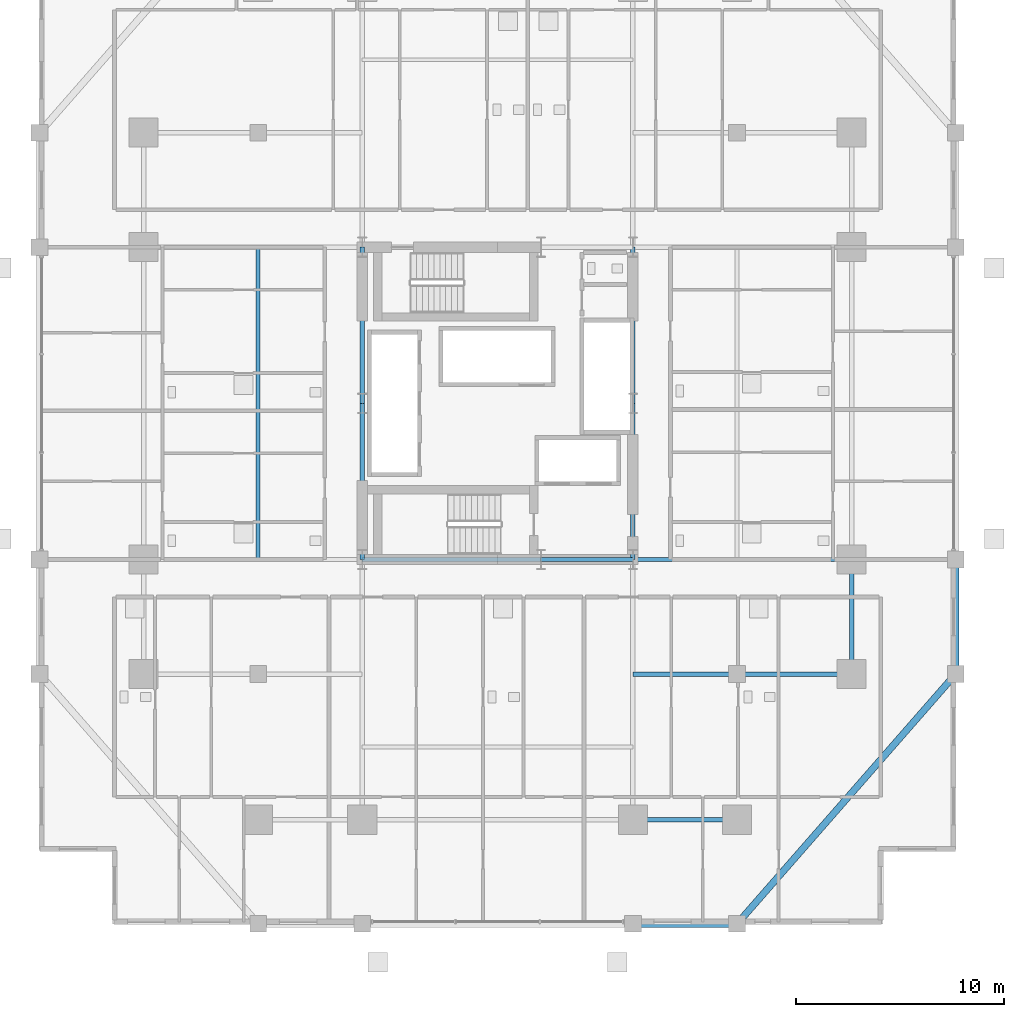
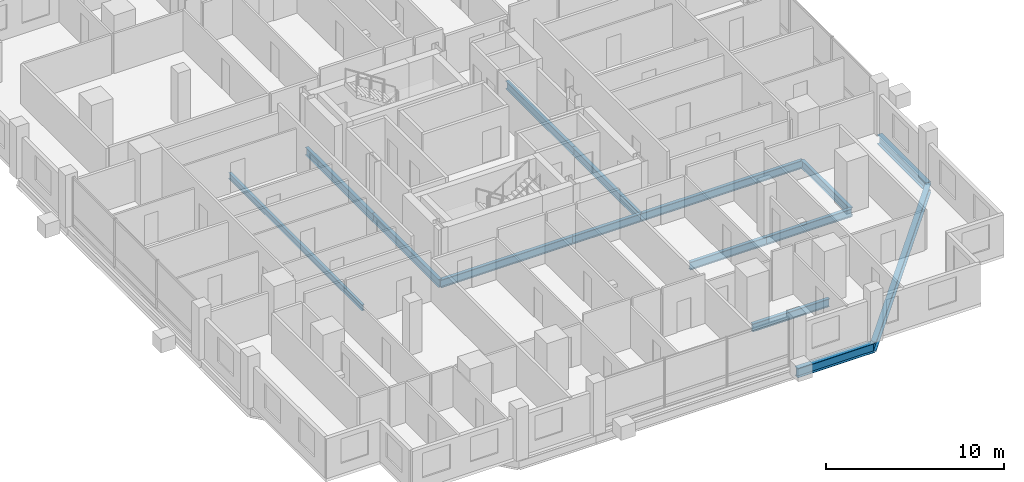
# One storey, part 7 of 24: 15 beams.
"""IFC4 building model written with IfcOpenShell, lengths in metres."""

from ifc_helpers import new_model, si_unit, direction, frame, origin, origin_2d, place, context, subcontext, project, spatial, i_section, extrude, material, material_profile, profile_set, type_object, element, save


model = new_model("IFC4")

# Units and contexts
model_context = context("Model", 3, precision=1e-05, world=origin(), true_north=direction((0.0, 1.0)))
body_context = subcontext(model_context, "Body", "Model", "MODEL_VIEW")
ifc_project = project(units=[si_unit("LENGTHUNIT", "METRE"), si_unit("AREAUNIT", "SQUARE_METRE"), si_unit("VOLUMEUNIT", "CUBIC_METRE"), si_unit("PLANEANGLEUNIT", "RADIAN"), si_unit("MASSUNIT", "GRAM", prefix="KILO")], contexts=[model_context])

# Site, building, storey
site_placement = place(None, origin())
site = spatial("IfcSite", under=ifc_project, at=site_placement, CompositionType="ELEMENT")
building_placement = place(site_placement, origin())
building = spatial("IfcBuilding", under=site, at=building_placement, Name="Barlavira Tower and Art Museum", CompositionType="ELEMENT")
storey_placement = place(building_placement, frame((0.0, 0.0, 32.39990234375)))
storey = spatial("IfcBuildingStorey", under=building, at=storey_placement, Name="L06", CompositionType="ELEMENT", Elevation=32.39990234375)

# Beams
ifc_material = material(Name="Steel S355", Category="steel")
ifc_material_profile_1 = material_profile(ifc_material, i_section(OverallWidth=0.327880859375, OverallDepth=0.62890625, WebThickness=0.013916015625, FlangeThickness=0.021484375, at=origin_2d()), Name="W610x174.0")
ifc_profile_set_1 = profile_set([ifc_material_profile_1], Name="Steel S355")
beam_type_1 = type_object("IfcBeamType", Name="Perimeter Spandrel Edge Beam W610x174 Steel S355", PredefinedType="SPANDREL", material=ifc_profile_set_1)
beam_1_placement = place(storey_placement, frame((6.5, -25.0, -0.534423828125), z_axis=(1.0, 0.0, 0.0), x_axis=(0.0, 1.0, 0.0)))
element("IfcBeam", 1, at=beam_1_placement, inside=storey, type_object=beam_type_1, Name="L06 Spandrel 3", PredefinedType="SPANDREL", context=body_context, shape_type="SweptSolid", body=[
    extrude(i_section(OverallWidth=0.327880859375, OverallDepth=0.62890625, WebThickness=0.013916015625, FlangeThickness=0.021484375, at=origin_2d()), origin(), (0.0, 0.0, 1.0), 5.0),
])
beam_2_placement = place(storey_placement, frame((11.5, -25.0, -0.534423828125), z_axis=(0.658504607869, 0.752576694707, 0.0), x_axis=(-0.752576694707, 0.658504607869, 0.0)))
element("IfcBeam", 2, at=beam_2_placement, inside=storey, type_object=beam_type_1, Name="L06 Spandrel 4", PredefinedType="SPANDREL", context=body_context, shape_type="SweptSolid", body=[
    extrude(i_section(OverallWidth=0.327880859375, OverallDepth=0.62890625, WebThickness=0.013916015625, FlangeThickness=0.021484375, at=origin_2d()), origin(), (0.0, 0.0, 1.0), 15.9453125),
])
beam_3_placement = place(storey_placement, frame((22.0, -13.0, -0.534423828125), z_axis=(0.0, 1.0, 0.0), x_axis=(-1.0, 0.0, 0.0)))
element("IfcBeam", 3, at=beam_3_placement, inside=storey, type_object=beam_type_1, Name="L06 Spandrel 5", PredefinedType="SPANDREL", context=body_context, shape_type="SweptSolid", body=[
    extrude(i_section(OverallWidth=0.327880859375, OverallDepth=0.62890625, WebThickness=0.013916015625, FlangeThickness=0.021484375, at=origin_2d()), origin(), (0.0, 0.0, 1.0), 5.5),
])
ifc_material_profile_2 = material_profile(ifc_material, i_section(OverallWidth=0.180908203125, OverallDepth=0.4169921875, WebThickness=0.010986328125, FlangeThickness=0.018310546875, at=origin_2d()), Name="W410x85.0")
ifc_profile_set_2 = profile_set([ifc_material_profile_2], Name="Steel S355")
beam_type_2 = type_object("IfcBeamType", Name="Zone 1 Composite Floor Joist W410x85 Steel S355", PredefinedType="JOIST", material=ifc_profile_set_2)
beam_4_placement = place(storey_placement, frame((-11.5, -7.5, -0.428466796875), z_axis=(0.0, 1.0, 0.0), x_axis=(-1.0, 0.0, 0.0)))
element("IfcBeam", 4, at=beam_4_placement, inside=storey, type_object=beam_type_2, Name="L06 Joist W1", PredefinedType="JOIST", context=body_context, shape_type="SweptSolid", body=[
    extrude(i_section(OverallWidth=0.180908203125, OverallDepth=0.4169921875, WebThickness=0.010986328125, FlangeThickness=0.018310546875, at=origin_2d()), origin(), (0.0, 0.0, 1.0), 15.0),
])
ifc_material_profile_3 = material_profile(ifc_material, i_section(OverallWidth=0.214111328125, OverallDepth=0.549072265625, WebThickness=0.0146484375, FlangeThickness=0.023681640625, at=origin_2d()), Name="W530x138.0")
ifc_profile_set_3 = profile_set([ifc_material_profile_3], Name="Steel S355")
beam_type_3 = type_object("IfcBeamType", Name="Zone 1 Primary Floor Girder W530x138 Steel S355", PredefinedType="BEAM", material=ifc_profile_set_3)
beam_5_placement = place(storey_placement, frame((-6.5, -7.5, -0.494384765625), z_axis=(1.0, 0.0, 0.0), x_axis=(0.0, 1.0, 0.0)))
element("IfcBeam", 5, at=beam_5_placement, inside=storey, type_object=beam_type_3, Name="L06 Girder C-S1", PredefinedType="BEAM", context=body_context, shape_type="SweptSolid", body=[
    extrude(i_section(OverallWidth=0.214111328125, OverallDepth=0.549072265625, WebThickness=0.0146484375, FlangeThickness=0.023681640625, at=origin_2d()), origin(), (0.0, 0.0, 1.0), 8.580078125),
])
beam_6_placement = place(storey_placement, frame((2.080078125, -7.5, -0.494384765625), z_axis=(1.0, 0.0, 0.0), x_axis=(0.0, 1.0, 0.0)))
element("IfcBeam", 6, at=beam_6_placement, inside=storey, type_object=beam_type_3, Name="L06 Girder C-S2", PredefinedType="BEAM", context=body_context, shape_type="SweptSolid", body=[
    extrude(i_section(OverallWidth=0.214111328125, OverallDepth=0.549072265625, WebThickness=0.0146484375, FlangeThickness=0.023681640625, at=origin_2d()), origin(), (0.0, 0.0, 1.0), 4.419921875),
])
for number, where, z_axis, x_axis, name in (
    (7, (-6.5, -7.5, -0.494384765625), (0.0, 1.0, 0.0), (-1.0, 0.0, 0.0), "L06 Girder C-W1"),
    (8, (-6.5, 0.0, -0.494384765625), (0.0, 1.0, 0.0), (-1.0, 0.0, 0.0), "L06 Girder C-W2"),
    (9, (6.5, -7.5, -0.494384765625), (0.0, 1.0, 0.0), (-1.0, 0.0, 0.0), "L06 Girder C-E1"),
    (10, (6.5, 0.0, -0.494384765625), (0.0, 1.0, 0.0), (-1.0, 0.0, 0.0), "L06 Girder C-E2"),
):
    element("IfcBeam", number, at=place(storey_placement, frame(where, z_axis=z_axis, x_axis=x_axis)), inside=storey, type_object=beam_type_3, Name=name, PredefinedType="BEAM", context=body_context, shape_type="SweptSolid", body=[
        extrude(i_section(OverallWidth=0.214111328125, OverallDepth=0.549072265625, WebThickness=0.0146484375, FlangeThickness=0.023681640625, at=origin_2d()), origin(), (0.0, 0.0, 1.0), 7.5),
    ])
beam_7_placement = place(storey_placement, frame((6.5, -20.0, -0.494384765625), z_axis=(1.0, 0.0, 0.0), x_axis=(0.0, 1.0, 0.0)))
element("IfcBeam", 11, at=beam_7_placement, inside=storey, type_object=beam_type_3, Name="L06 Girder M-S3", PredefinedType="BEAM", context=body_context, shape_type="SweptSolid", body=[
    extrude(i_section(OverallWidth=0.214111328125, OverallDepth=0.549072265625, WebThickness=0.0146484375, FlangeThickness=0.023681640625, at=origin_2d()), origin(), (0.0, 0.0, 1.0), 5.0),
])
beam_8_placement = place(storey_placement, frame((17.0, -13.0, -0.494384765625), z_axis=(0.0, 1.0, 0.0), x_axis=(-1.0, 0.0, 0.0)))
element("IfcBeam", 12, at=beam_8_placement, inside=storey, type_object=beam_type_3, Name="L06 Girder M-E1", PredefinedType="BEAM", context=body_context, shape_type="SweptSolid", body=[
    extrude(i_section(OverallWidth=0.214111328125, OverallDepth=0.549072265625, WebThickness=0.0146484375, FlangeThickness=0.023681640625, at=origin_2d()), origin(), (0.0, 0.0, 1.0), 5.5),
])
beam_9_placement = place(storey_placement, frame((6.5, -7.5, -0.494384765625), z_axis=(1.0, 0.0, 0.0), x_axis=(0.0, 1.0, 0.0)))
element("IfcBeam", 13, at=beam_9_placement, inside=storey, type_object=beam_type_3, Name="L06 Girder R-E1", PredefinedType="BEAM", context=body_context, shape_type="SweptSolid", body=[
    extrude(i_section(OverallWidth=0.214111328125, OverallDepth=0.549072265625, WebThickness=0.0146484375, FlangeThickness=0.023681640625, at=origin_2d()), origin(), (0.0, 0.0, 1.0), 10.5),
])
beam_10_placement = place(storey_placement, frame((6.5, -13.0, -0.494384765625), z_axis=(1.0, 0.0, 0.0), x_axis=(0.0, 1.0, 0.0)))
element("IfcBeam", 14, at=beam_10_placement, inside=storey, type_object=beam_type_3, Name="L06 Girder I-S3", PredefinedType="BEAM", context=body_context, shape_type="SweptSolid", body=[
    extrude(i_section(OverallWidth=0.214111328125, OverallDepth=0.549072265625, WebThickness=0.0146484375, FlangeThickness=0.023681640625, at=origin_2d()), origin(), (0.0, 0.0, 1.0), 5.0),
])
beam_11_placement = place(storey_placement, frame((11.5, -13.0, -0.494384765625), z_axis=(1.0, 0.0, 0.0), x_axis=(0.0, 1.0, 0.0)))
element("IfcBeam", 15, at=beam_11_placement, inside=storey, type_object=beam_type_3, Name="L06 Girder I-S4", PredefinedType="BEAM", context=body_context, shape_type="SweptSolid", body=[
    extrude(i_section(OverallWidth=0.214111328125, OverallDepth=0.549072265625, WebThickness=0.0146484375, FlangeThickness=0.023681640625, at=origin_2d()), origin(), (0.0, 0.0, 1.0), 5.5),
])

save(model, "model.ifc")
